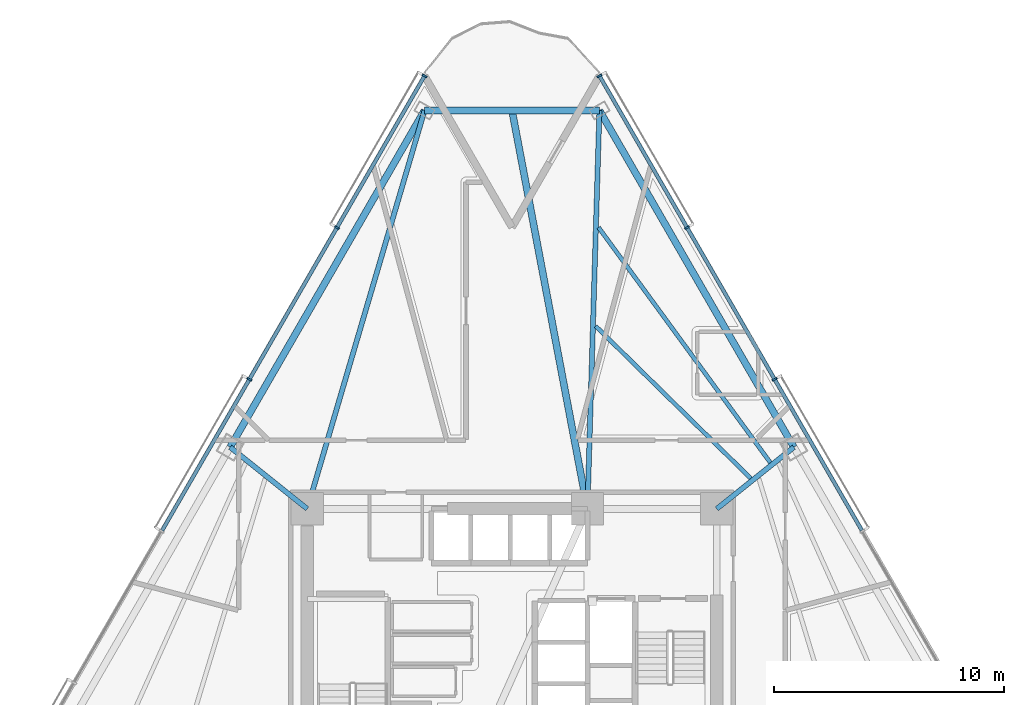
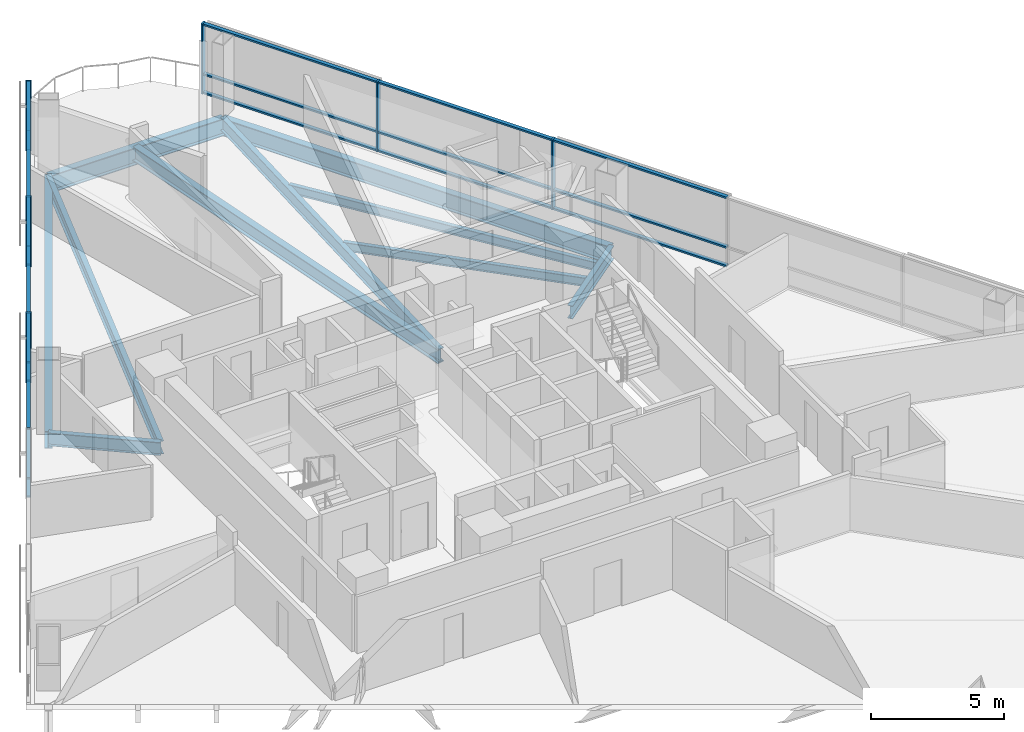
# One storey, part 5 of 16: 24 members, 10 beams, 2 elements without a shape of their own.
"""IFC4 building model written with IfcOpenShell, lengths in metres."""

from ifc_helpers import new_model, si_unit, direction, frame, origin, origin_2d, place, context, subcontext, project, spatial, rectangle, i_section, extrude, material, layer, layer_set, material_profile, profile_set, type_object, element, aggregate, save


model = new_model("IFC4")

# Units and contexts
model_context = context("Model", 3, precision=1e-05, world=origin(), true_north=direction((0.0, 1.0)))
body_context = subcontext(model_context, "Body", "Model", "MODEL_VIEW")
ifc_project = project(units=[si_unit("LENGTHUNIT", "METRE"), si_unit("AREAUNIT", "SQUARE_METRE"), si_unit("VOLUMEUNIT", "CUBIC_METRE"), si_unit("PLANEANGLEUNIT", "RADIAN"), si_unit("MASSUNIT", "GRAM", prefix="KILO")], contexts=[model_context])

# Site, building, storey
site_placement = place(None, origin())
site = spatial("IfcSite", under=ifc_project, at=site_placement, CompositionType="ELEMENT")
building_placement = place(site_placement, origin())
building = spatial("IfcBuilding", under=site, at=building_placement, Name="Tharavind Bronze Gate", CompositionType="ELEMENT")
storey_placement = place(building_placement, frame((0.0, 0.0, 48.85009765625)))
storey = spatial("IfcBuildingStorey", under=building, at=storey_placement, Name="L11", CompositionType="ELEMENT", Elevation=48.85009765625)

# Curtain wall, members
ifc_material_1 = material(Name="Anodised Bronze Aluminium", Category="aluminium")
ifc_layer = layer(ifc_material_1, 0.219970703125)
ifc_layer_set = layer_set([ifc_layer], Name="Anodised Bronze Aluminium")
curtain_wall_type = type_object("IfcCurtainWallType", Name="UNITISED CURTAIN WALL HOTEL", PredefinedType="USERDEFINED", material=ifc_layer_set)
curtain_wall_1_placement = place(storey_placement, origin())
curtain_wall_1 = element("IfcCurtainWall", 1, at=curtain_wall_1_placement, inside=storey, type_object=curtain_wall_type, Name="L11 unitised curtain wall hotel CW-L11-S1", ObjectType="UNITISED CURTAIN WALL", PredefinedType="USERDEFINED")
member_type_1 = type_object("IfcMemberType", Name="CURTAIN WALL MULLION 80X220", PredefinedType="MULLION", material=ifc_material_1)
member_1_placement = place(storey_placement, frame((-3.800048828125, 26.418212890625, -0.000244140625), z_axis=(0.0, 0.0, 1.0), x_axis=(-0.500001511499, -0.866024531118, 0.0)))
member_1 = element("IfcMember", 2, at=member_1_placement, type_object=member_type_1, Name="CW-L11-S1 mullion 1", PredefinedType="MULLION", context=body_context, shape_type="SweptSolid", body=[
    extrude(rectangle(XDim=0.080078125, YDim=0.219970703125, at=origin_2d()), origin(), (0.0, 0.0, 1.0), 3.22509765625),
])
member_2_placement = place(storey_placement, frame((-7.60791015625, 19.822509765625, -0.000244140625), z_axis=(0.0, 0.0, 1.0), x_axis=(-0.500001511499, -0.866024531118, 0.0)))
member_2 = element("IfcMember", 3, at=member_2_placement, type_object=member_type_1, Name="CW-L11-S1 mullion 2", PredefinedType="MULLION", context=body_context, shape_type="SweptSolid", body=[
    extrude(rectangle(XDim=0.080078125, YDim=0.219970703125, at=origin_2d()), origin(), (0.0, 0.0, 1.0), 3.22509765625),
])
member_3_placement = place(storey_placement, frame((-11.416015625, 13.22705078125, -0.000244140625), z_axis=(0.0, 0.0, 1.0), x_axis=(-0.500001511499, -0.866024531118, 0.0)))
member_3 = element("IfcMember", 4, at=member_3_placement, type_object=member_type_1, Name="CW-L11-S1 mullion 3", PredefinedType="MULLION", context=body_context, shape_type="SweptSolid", body=[
    extrude(rectangle(XDim=0.080078125, YDim=0.219970703125, at=origin_2d()), origin(), (0.0, 0.0, 1.0), 3.22509765625),
])

curtain_wall_2_placement = place(storey_placement, origin())
curtain_wall_2 = element("IfcCurtainWall", 5, at=curtain_wall_2_placement, inside=storey, type_object=curtain_wall_type, Name="L11 unitised curtain wall hotel CW-L11-S3", ObjectType="UNITISED CURTAIN WALL", PredefinedType="USERDEFINED")
member_4_placement = place(storey_placement, frame((11.416015625, 13.22705078125, -0.000244140625), z_axis=(0.0, 0.0, 1.0), x_axis=(-0.500001511499, 0.866024531118, 0.0)))
member_4 = element("IfcMember", 6, at=member_4_placement, type_object=member_type_1, Name="CW-L11-S3 mullion 6", PredefinedType="MULLION", context=body_context, shape_type="SweptSolid", body=[
    extrude(rectangle(XDim=0.080078125, YDim=0.219970703125, at=origin_2d()), origin(), (0.0, 0.0, 1.0), 3.22509765625),
])
member_5_placement = place(storey_placement, frame((7.60791015625, 19.822509765625, -0.000244140625), z_axis=(0.0, 0.0, 1.0), x_axis=(-0.500001511499, 0.866024531118, 0.0)))
member_5 = element("IfcMember", 7, at=member_5_placement, type_object=member_type_1, Name="CW-L11-S3 mullion 7", PredefinedType="MULLION", context=body_context, shape_type="SweptSolid", body=[
    extrude(rectangle(XDim=0.080078125, YDim=0.219970703125, at=origin_2d()), origin(), (0.0, 0.0, 1.0), 3.22509765625),
])
member_6_placement = place(storey_placement, frame((3.800048828125, 26.418212890625, -0.000244140625), z_axis=(0.0, 0.0, 1.0), x_axis=(-0.500001511499, 0.866024531118, 0.0)))
member_6 = element("IfcMember", 8, at=member_6_placement, type_object=member_type_1, Name="CW-L11-S3 mullion 8", PredefinedType="MULLION", context=body_context, shape_type="SweptSolid", body=[
    extrude(rectangle(XDim=0.080078125, YDim=0.219970703125, at=origin_2d()), origin(), (0.0, 0.0, 1.0), 3.22509765625),
])

# Member
member_type_2 = type_object("IfcMemberType", Name="CURTAIN WALL TRANSOM 80X160", PredefinedType="USERDEFINED", material=ifc_material_1)
member_7_placement = place(storey_placement, frame((-5.7041015625, 23.120361328125, -0.000244140625), z_axis=(0.0, 0.0, 1.0), x_axis=(-0.500001511499, -0.866024531118, 0.0)))
member_7 = element("IfcMember", 9, at=member_7_placement, type_object=member_type_2, Name="CW-L11-S1 transom TB1", ObjectType="TRANSOM", PredefinedType="USERDEFINED", context=body_context, shape_type="SweptSolid", body=[
    extrude(rectangle(XDim=7.5478515625, YDim=0.159912109375, at=origin_2d()), origin(), (0.0, 0.0, 1.0), 0.080078125),
])

member_8_placement = place(storey_placement, frame((-5.7041015625, 23.120361328125, 0.85986328125), z_axis=(0.0, 0.0, 1.0), x_axis=(-0.500001511499, -0.866024531118, 0.0)))
member_8 = element("IfcMember", 10, at=member_8_placement, type_object=member_type_2, Name="CW-L11-S1 transom TS1", ObjectType="TRANSOM", PredefinedType="USERDEFINED", context=body_context, shape_type="SweptSolid", body=[
    extrude(rectangle(XDim=7.5478515625, YDim=0.159912109375, at=origin_2d()), origin(), (0.0, 0.0, 1.0), 0.080078125),
])

member_9_placement = place(storey_placement, frame((-5.7041015625, 23.120361328125, 3.144775390625), z_axis=(0.0, 0.0, 1.0), x_axis=(-0.500001511499, -0.866024531118, 0.0)))
member_9 = element("IfcMember", 11, at=member_9_placement, type_object=member_type_2, Name="CW-L11-S1 transom TT1", ObjectType="TRANSOM", PredefinedType="USERDEFINED", context=body_context, shape_type="SweptSolid", body=[
    extrude(rectangle(XDim=7.5478515625, YDim=0.159912109375, at=origin_2d()), origin(), (0.0, 0.0, 1.0), 0.080078125),
])

member_10_placement = place(storey_placement, frame((-9.511962890625, 16.52490234375, -0.000244140625), z_axis=(0.0, 0.0, 1.0), x_axis=(-0.500001511499, -0.866024531118, 0.0)))
member_10 = element("IfcMember", 12, at=member_10_placement, type_object=member_type_2, Name="CW-L11-S1 transom TB2", ObjectType="TRANSOM", PredefinedType="USERDEFINED", context=body_context, shape_type="SweptSolid", body=[
    extrude(rectangle(XDim=7.5478515625, YDim=0.159912109375, at=origin_2d()), origin(), (0.0, 0.0, 1.0), 0.080078125),
])

member_11_placement = place(storey_placement, frame((-9.511962890625, 16.52490234375, 0.85986328125), z_axis=(0.0, 0.0, 1.0), x_axis=(-0.500001511499, -0.866024531118, 0.0)))
member_11 = element("IfcMember", 13, at=member_11_placement, type_object=member_type_2, Name="CW-L11-S1 transom TS2", ObjectType="TRANSOM", PredefinedType="USERDEFINED", context=body_context, shape_type="SweptSolid", body=[
    extrude(rectangle(XDim=7.5478515625, YDim=0.159912109375, at=origin_2d()), origin(), (0.0, 0.0, 1.0), 0.080078125),
])

member_12_placement = place(storey_placement, frame((-9.511962890625, 16.52490234375, 3.144775390625), z_axis=(0.0, 0.0, 1.0), x_axis=(-0.500001511499, -0.866024531118, 0.0)))
member_12 = element("IfcMember", 14, at=member_12_placement, type_object=member_type_2, Name="CW-L11-S1 transom TT2", ObjectType="TRANSOM", PredefinedType="USERDEFINED", context=body_context, shape_type="SweptSolid", body=[
    extrude(rectangle(XDim=7.5478515625, YDim=0.159912109375, at=origin_2d()), origin(), (0.0, 0.0, 1.0), 0.080078125),
])

member_13_placement = place(storey_placement, frame((-13.31982421875, 9.92919921875, -0.000244140625), z_axis=(0.0, 0.0, 1.0), x_axis=(-0.500001511499, -0.866024531118, 0.0)))
member_13 = element("IfcMember", 15, at=member_13_placement, type_object=member_type_2, Name="CW-L11-S1 transom TB3", ObjectType="TRANSOM", PredefinedType="USERDEFINED", context=body_context, shape_type="SweptSolid", body=[
    extrude(rectangle(XDim=7.5478515625, YDim=0.159912109375, at=origin_2d()), origin(), (0.0, 0.0, 1.0), 0.080078125),
])

member_14_placement = place(storey_placement, frame((-13.31982421875, 9.92919921875, 0.85986328125), z_axis=(0.0, 0.0, 1.0), x_axis=(-0.500001511499, -0.866024531118, 0.0)))
member_14 = element("IfcMember", 16, at=member_14_placement, type_object=member_type_2, Name="CW-L11-S1 transom TS3", ObjectType="TRANSOM", PredefinedType="USERDEFINED", context=body_context, shape_type="SweptSolid", body=[
    extrude(rectangle(XDim=7.5478515625, YDim=0.159912109375, at=origin_2d()), origin(), (0.0, 0.0, 1.0), 0.080078125),
])

member_15_placement = place(storey_placement, frame((-13.31982421875, 9.92919921875, 3.144775390625), z_axis=(0.0, 0.0, 1.0), x_axis=(-0.500001511499, -0.866024531118, 0.0)))
member_15 = element("IfcMember", 17, at=member_15_placement, type_object=member_type_2, Name="CW-L11-S1 transom TT3", ObjectType="TRANSOM", PredefinedType="USERDEFINED", context=body_context, shape_type="SweptSolid", body=[
    extrude(rectangle(XDim=7.5478515625, YDim=0.159912109375, at=origin_2d()), origin(), (0.0, 0.0, 1.0), 0.080078125),
])

aggregate(curtain_wall_1, [member_1, member_2, member_3, member_7, member_8, member_9, member_10, member_11, member_12, member_13, member_14, member_15])

member_16_placement = place(storey_placement, frame((13.31982421875, 9.92919921875, -0.000244140625), z_axis=(0.0, 0.0, 1.0), x_axis=(-0.500001511499, 0.866024531118, 0.0)))
member_16 = element("IfcMember", 18, at=member_16_placement, type_object=member_type_2, Name="CW-L11-S3 transom TB5", ObjectType="TRANSOM", PredefinedType="USERDEFINED", context=body_context, shape_type="SweptSolid", body=[
    extrude(rectangle(XDim=7.5478515625, YDim=0.159912109375, at=origin_2d()), origin(), (0.0, 0.0, 1.0), 0.080078125),
])

member_17_placement = place(storey_placement, frame((13.31982421875, 9.92919921875, 0.85986328125), z_axis=(0.0, 0.0, 1.0), x_axis=(-0.500001511499, 0.866024531118, 0.0)))
member_17 = element("IfcMember", 19, at=member_17_placement, type_object=member_type_2, Name="CW-L11-S3 transom TS5", ObjectType="TRANSOM", PredefinedType="USERDEFINED", context=body_context, shape_type="SweptSolid", body=[
    extrude(rectangle(XDim=7.5478515625, YDim=0.159912109375, at=origin_2d()), origin(), (0.0, 0.0, 1.0), 0.080078125),
])

member_18_placement = place(storey_placement, frame((13.31982421875, 9.92919921875, 3.144775390625), z_axis=(0.0, 0.0, 1.0), x_axis=(-0.500001511499, 0.866024531118, 0.0)))
member_18 = element("IfcMember", 20, at=member_18_placement, type_object=member_type_2, Name="CW-L11-S3 transom TT5", ObjectType="TRANSOM", PredefinedType="USERDEFINED", context=body_context, shape_type="SweptSolid", body=[
    extrude(rectangle(XDim=7.5478515625, YDim=0.159912109375, at=origin_2d()), origin(), (0.0, 0.0, 1.0), 0.080078125),
])

member_19_placement = place(storey_placement, frame((9.511962890625, 16.52490234375, -0.000244140625), z_axis=(0.0, 0.0, 1.0), x_axis=(-0.500001511499, 0.866024531118, 0.0)))
member_19 = element("IfcMember", 21, at=member_19_placement, type_object=member_type_2, Name="CW-L11-S3 transom TB6", ObjectType="TRANSOM", PredefinedType="USERDEFINED", context=body_context, shape_type="SweptSolid", body=[
    extrude(rectangle(XDim=7.5478515625, YDim=0.159912109375, at=origin_2d()), origin(), (0.0, 0.0, 1.0), 0.080078125),
])

member_20_placement = place(storey_placement, frame((9.511962890625, 16.52490234375, 0.85986328125), z_axis=(0.0, 0.0, 1.0), x_axis=(-0.500001511499, 0.866024531118, 0.0)))
member_20 = element("IfcMember", 22, at=member_20_placement, type_object=member_type_2, Name="CW-L11-S3 transom TS6", ObjectType="TRANSOM", PredefinedType="USERDEFINED", context=body_context, shape_type="SweptSolid", body=[
    extrude(rectangle(XDim=7.5478515625, YDim=0.159912109375, at=origin_2d()), origin(), (0.0, 0.0, 1.0), 0.080078125),
])

member_21_placement = place(storey_placement, frame((9.511962890625, 16.52490234375, 3.144775390625), z_axis=(0.0, 0.0, 1.0), x_axis=(-0.500001511499, 0.866024531118, 0.0)))
member_21 = element("IfcMember", 23, at=member_21_placement, type_object=member_type_2, Name="CW-L11-S3 transom TT6", ObjectType="TRANSOM", PredefinedType="USERDEFINED", context=body_context, shape_type="SweptSolid", body=[
    extrude(rectangle(XDim=7.5478515625, YDim=0.159912109375, at=origin_2d()), origin(), (0.0, 0.0, 1.0), 0.080078125),
])

member_22_placement = place(storey_placement, frame((5.7041015625, 23.120361328125, -0.000244140625), z_axis=(0.0, 0.0, 1.0), x_axis=(-0.500001511499, 0.866024531118, 0.0)))
member_22 = element("IfcMember", 24, at=member_22_placement, type_object=member_type_2, Name="CW-L11-S3 transom TB7", ObjectType="TRANSOM", PredefinedType="USERDEFINED", context=body_context, shape_type="SweptSolid", body=[
    extrude(rectangle(XDim=7.5478515625, YDim=0.159912109375, at=origin_2d()), origin(), (0.0, 0.0, 1.0), 0.080078125),
])

member_23_placement = place(storey_placement, frame((5.7041015625, 23.120361328125, 0.85986328125), z_axis=(0.0, 0.0, 1.0), x_axis=(-0.500001511499, 0.866024531118, 0.0)))
member_23 = element("IfcMember", 25, at=member_23_placement, type_object=member_type_2, Name="CW-L11-S3 transom TS7", ObjectType="TRANSOM", PredefinedType="USERDEFINED", context=body_context, shape_type="SweptSolid", body=[
    extrude(rectangle(XDim=7.5478515625, YDim=0.159912109375, at=origin_2d()), origin(), (0.0, 0.0, 1.0), 0.080078125),
])

member_24_placement = place(storey_placement, frame((5.7041015625, 23.120361328125, 3.144775390625), z_axis=(0.0, 0.0, 1.0), x_axis=(-0.500001511499, 0.866024531118, 0.0)))
member_24 = element("IfcMember", 26, at=member_24_placement, type_object=member_type_2, Name="CW-L11-S3 transom TT7", ObjectType="TRANSOM", PredefinedType="USERDEFINED", context=body_context, shape_type="SweptSolid", body=[
    extrude(rectangle(XDim=7.5478515625, YDim=0.159912109375, at=origin_2d()), origin(), (0.0, 0.0, 1.0), 0.080078125),
])

aggregate(curtain_wall_2, [member_4, member_5, member_6, member_16, member_17, member_18, member_19, member_20, member_21, member_22, member_23, member_24])

# Beams
ifc_material_2 = material(Name="Steel S355", Category="steel")
ifc_material_profile_1 = material_profile(ifc_material_2, i_section(OverallWidth=0.300048828125, OverallDepth=0.64990234375, WebThickness=0.01611328125, FlangeThickness=0.031005859375, at=origin_2d()), Name="HE650B")
ifc_profile_set_1 = profile_set([ifc_material_profile_1], Name="Steel S355")
beam_type_1 = type_object("IfcBeamType", Name="PRIMARY GIRDER HE650B", PredefinedType="USERDEFINED", material=ifc_profile_set_1)
beam_1_placement = place(storey_placement, frame((3.280029296875, 7.60009765625, -0.5), z_axis=(-0.186090445171, 0.982532618398, 0.0), x_axis=(-0.982532618398, -0.186090445171, 0.0)))
element("IfcBeam", 27, at=beam_1_placement, inside=storey, type_object=beam_type_1, Name="L11 primary girder he650b BM-L11-BLCSB", ObjectType="GIRDER", PredefinedType="USERDEFINED", context=body_context, shape_type="SweptSolid", body=[
    extrude(i_section(OverallWidth=0.300048828125, OverallDepth=0.64990234375, WebThickness=0.01611328125, FlangeThickness=0.031005859375, at=origin_2d()), origin(), (0.0, 0.0, 1.0), 17.6259765625),
])
ifc_material_profile_2 = material_profile(ifc_material_2, i_section(OverallWidth=0.219970703125, OverallDepth=0.60009765625, WebThickness=0.011962890625, FlangeThickness=0.01904296875, at=origin_2d()), Name="IPE600")
ifc_profile_set_2 = profile_set([ifc_material_profile_2], Name="Steel S355")
beam_type_2 = type_object("IfcBeamType", Name="PRIMARY GIRDER IPE600", PredefinedType="USERDEFINED", material=ifc_profile_set_2)
beam_2_placement = place(storey_placement, frame((-3.800048828125, 24.918212890625, -0.47509765625), z_axis=(-0.282486989934, -0.959271129826, 0.0), x_axis=(0.959271129826, -0.282486989934, 0.0)))
element("IfcBeam", 28, at=beam_2_placement, inside=storey, type_object=beam_type_2, Name="L11 primary girder ipe600 BM-L11-RAD01", ObjectType="GIRDER", PredefinedType="USERDEFINED", context=body_context, shape_type="SweptSolid", body=[
    extrude(i_section(OverallWidth=0.219970703125, OverallDepth=0.60009765625, WebThickness=0.011962890625, FlangeThickness=0.01904296875, at=origin_2d()), origin(), (0.0, 0.0, 1.0), 18.053466796875),
])
for number, where, z_axis, x_axis, name in (
    (29, (-12.252197265625, 10.278564453125, -0.47509765625), (0.781251676118, -0.62421616333, 0.0), (0.62421616333, 0.781251676118, 0.0), "L11 primary girder ipe600 BM-L11-RAD02"),
    (30, (12.252197265625, 10.278564453125, -0.47509765625), (-0.781251676118, -0.62421616333, 0.0), (0.62421616333, -0.781251676118, 0.0), "L11 primary girder ipe600 BM-L11-RAD11"),
):
    element("IfcBeam", number, at=place(storey_placement, frame(where, z_axis=z_axis, x_axis=x_axis)), inside=storey, type_object=beam_type_2, Name=name, ObjectType="GIRDER", PredefinedType="USERDEFINED", context=body_context, shape_type="SweptSolid", body=[
        extrude(i_section(OverallWidth=0.219970703125, OverallDepth=0.60009765625, WebThickness=0.011962890625, FlangeThickness=0.01904296875, at=origin_2d()), origin(), (0.0, 0.0, 1.0), 4.291015625),
    ])
beam_3_placement = place(storey_placement, frame((3.800048828125, 24.918212890625, -0.47509765625), z_axis=(-0.030013961958, -0.999549479559, 0.0), x_axis=(0.999549479559, -0.030013961958, 0.0)))
element("IfcBeam", 31, at=beam_3_placement, inside=storey, type_object=beam_type_2, Name="L11 primary girder ipe600 BM-L11-RAD12", ObjectType="GIRDER", PredefinedType="USERDEFINED", context=body_context, shape_type="SweptSolid", body=[
    extrude(i_section(OverallWidth=0.219970703125, OverallDepth=0.60009765625, WebThickness=0.011962890625, FlangeThickness=0.01904296875, at=origin_2d()), origin(), (0.0, 0.0, 1.0), 17.325927734375),
])
ifc_material_profile_3 = material_profile(ifc_material_2, i_section(OverallWidth=0.300048828125, OverallDepth=0.800048828125, WebThickness=0.017578125, FlangeThickness=0.032958984375, at=origin_2d()), Name="HE800B")
ifc_profile_set_3 = profile_set([ifc_material_profile_3], Name="Steel S355")
beam_type_3 = type_object("IfcBeamType", Name="RING GIRDER HE800B", PredefinedType="USERDEFINED", material=ifc_profile_set_3)
for number, where, z_axis, x_axis, name in (
    (32, (-3.800048828125, 24.918212890625, -0.5751953125), (-0.499997491977, -0.866026851788, 0.0), (0.866026851788, -0.499997491977, 0.0), "L11 ring girder he800b BM-L11-PRG01"),
    (33, (12.252197265625, 10.278564453125, -0.5751953125), (-0.499997491977, 0.866026851788, 0.0), (-0.866026851788, -0.499997491977, 0.0), "L11 ring girder he800b BM-L11-PRG11"),
):
    element("IfcBeam", number, at=place(storey_placement, frame(where, z_axis=z_axis, x_axis=x_axis)), inside=storey, type_object=beam_type_3, Name=name, ObjectType="GIRDER", PredefinedType="USERDEFINED", context=body_context, shape_type="SweptSolid", body=[
        extrude(i_section(OverallWidth=0.300048828125, OverallDepth=0.800048828125, WebThickness=0.017578125, FlangeThickness=0.032958984375, at=origin_2d()), origin(), (0.0, 0.0, 1.0), 16.904296875),
    ])
beam_4_placement = place(storey_placement, frame((3.800048828125, 24.918212890625, -0.5751953125), z_axis=(-1.0, 0.0, 0.0), x_axis=(0.0, -1.0, 0.0)))
element("IfcBeam", 34, at=beam_4_placement, inside=storey, type_object=beam_type_3, Name="L11 ring girder he800b BM-L11-PRG12", ObjectType="GIRDER", PredefinedType="USERDEFINED", context=body_context, shape_type="SweptSolid", body=[
    extrude(i_section(OverallWidth=0.300048828125, OverallDepth=0.800048828125, WebThickness=0.017578125, FlangeThickness=0.032958984375, at=origin_2d()), origin(), (0.0, 0.0, 1.0), 7.60009765625),
])
ifc_material_profile_4 = material_profile(ifc_material_2, i_section(OverallWidth=0.179931640625, OverallDepth=0.39990234375, WebThickness=0.008544921875, FlangeThickness=0.013427734375, at=origin_2d()), Name="IPE400")
ifc_profile_set_4 = profile_set([ifc_material_profile_4], Name="Steel S355")
beam_type_4 = type_object("IfcBeamType", Name="SECONDARY FLOOR JOIST IPE400", PredefinedType="JOIST", material=ifc_profile_set_4)
beam_5_placement = place(storey_placement, frame((10.376953125, 8.92578125, -0.375), z_axis=(-0.713727372998, 0.700423612561, 0.0), x_axis=(-0.700423612561, -0.713727372998, 0.0)))
element("IfcBeam", 35, at=beam_5_placement, inside=storey, type_object=beam_type_4, Name="L11 secondary floor joist ipe400 BM-L11-JSTA11", PredefinedType="JOIST", context=body_context, shape_type="SweptSolid", body=[
    extrude(i_section(OverallWidth=0.179931640625, OverallDepth=0.39990234375, WebThickness=0.008544921875, FlangeThickness=0.013427734375, at=origin_2d()), origin(), (0.0, 0.0, 1.0), 9.450927734375),
])
beam_6_placement = place(storey_placement, frame((11.2294921875, 9.607421875, -0.375), z_axis=(-0.589794717955, 0.807553212285, 0.0), x_axis=(-0.807553212285, -0.589794717955, 0.0)))
element("IfcBeam", 36, at=beam_6_placement, inside=storey, type_object=beam_type_4, Name="L11 secondary floor joist ipe400 BM-L11-JSTB11", PredefinedType="JOIST", context=body_context, shape_type="SweptSolid", body=[
    extrude(i_section(OverallWidth=0.179931640625, OverallDepth=0.39990234375, WebThickness=0.008544921875, FlangeThickness=0.013427734375, at=origin_2d()), origin(), (0.0, 0.0, 1.0), 12.66455078125),
])

save(model, "model.ifc")
